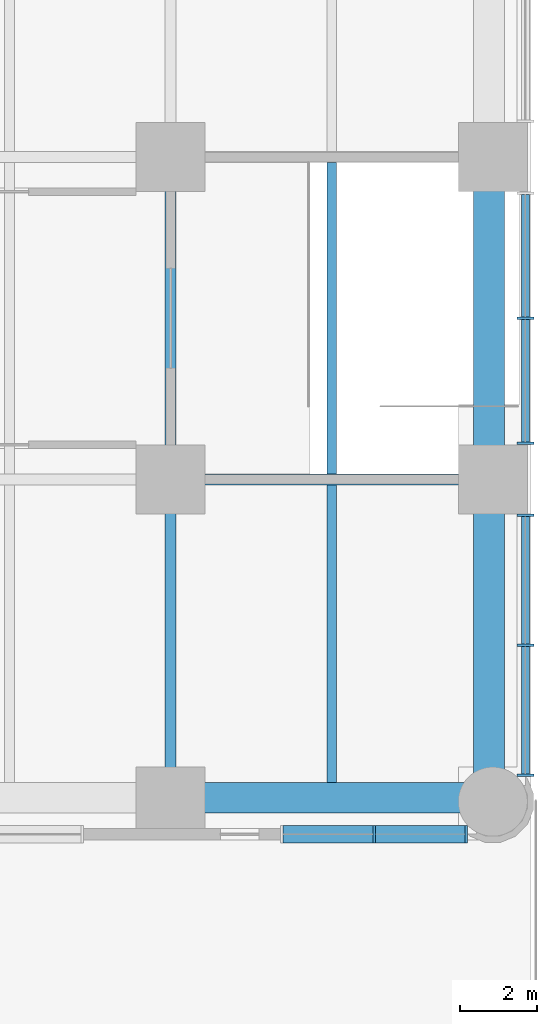
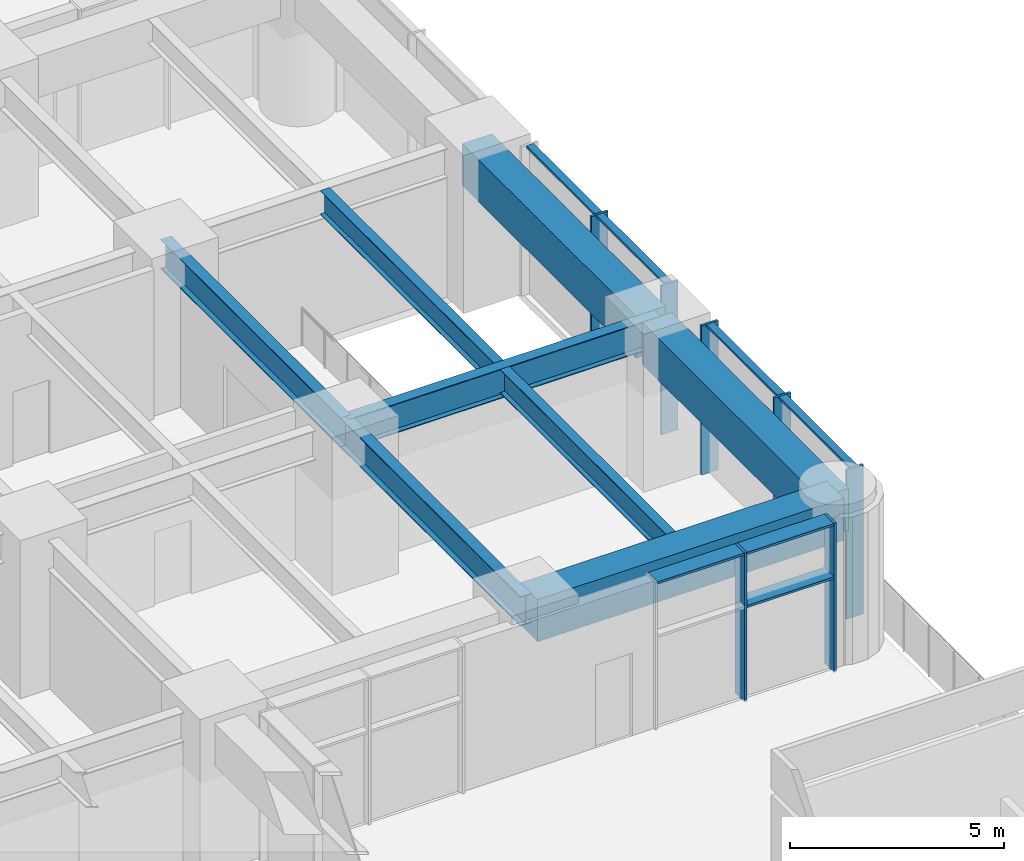
# One storey, part 4 of 21: 14 members, 8 beams, 2 elements without a shape of their own.
"""IFC4 building model written with IfcOpenShell, lengths in metres."""

import ifcopenshell
import ifcopenshell.guid

model = None  # the IFC model being written
_history = None  # IfcOwnerHistory: only IFC2X3 demands one
_inside = {}  # id of a spatial element -> (the spatial element, [elements in it])
_under = {}  # id of a project, library or spatial element -> (it, [spatial elements below it])
_declared = {}  # id of a project -> (the project, [libraries it declares])
_typed = {}  # id of a type object -> (the type object, [elements of that type])
_made_of = {}  # id of a material, layer set ... -> (it, [elements and type objects made of it])


def new_model(schema):
    """Start an empty IFC model of exactly this schema.

    Asked for "IFC4X3", IfcOpenShell would pick the latest addendum, in which some entities
    have other attributes; the version numbers below select the first issue.
    IFC2X3 requires an IfcOwnerHistory on every rooted entity: one is made here for all.
    """
    global model, _history
    if schema == "IFC4X3":
        model = ifcopenshell.file(schema_version=(4, 3, 0, 0))
    else:
        model = ifcopenshell.file(schema=schema)
    _inside.clear()
    _under.clear()
    _declared.clear()
    _typed.clear()
    _made_of.clear()
    _history = None
    if model.schema == "IFC2X3":
        org = make("IfcOrganization", Name="unknown")
        user = make(
            "IfcPersonAndOrganization",
            ThePerson=make("IfcPerson", FamilyName="unknown"),
            TheOrganization=org,
        )
        app = make(
            "IfcApplication",
            ApplicationDeveloper=org,
            Version="unknown",
            ApplicationFullName="unknown",
            ApplicationIdentifier="unknown",
        )
        _history = make(
            "IfcOwnerHistory",
            OwningUser=user,
            OwningApplication=app,
            ChangeAction="ADDED",
            CreationDate=0,
        )
    return model


def make(cls, **values):
    """One entity of the class cls with the attributes given. An attribute that is None is left unset."""
    return model.create_entity(
        cls, **{name: value for name, value in values.items() if value is not None}
    )


def rooted(cls, **values):
    """An entity with a GlobalId (a new one), such as an element, a storey or a relation."""
    return make(cls, GlobalId=ifcopenshell.guid.new(), OwnerHistory=_history, **values)


def si_unit(unit_type, name, prefix=None):
    """IfcSIUnit, for example si_unit("LENGTHUNIT", "METRE", prefix="MILLI")."""
    return make("IfcSIUnit", UnitType=unit_type, Prefix=prefix, Name=name)


def assignment(units):
    """IfcUnitAssignment: the units of a project."""
    return None if units is None else make("IfcUnitAssignment", Units=units)


def point(xyz):
    """IfcCartesianPoint."""
    return None if xyz is None else make("IfcCartesianPoint", Coordinates=xyz)


def direction(xyz):
    """IfcDirection."""
    return None if xyz is None else make("IfcDirection", DirectionRatios=xyz)


def frame(location, z_axis=None, x_axis=None):
    """IfcAxis2Placement3D, a coordinate frame: its origin and axes. An axis left out is left unset."""
    return make(
        "IfcAxis2Placement3D",
        Location=point(location),
        Axis=direction(z_axis),
        RefDirection=direction(x_axis),
    )


def frame_2d(location, x_axis=None):
    """IfcAxis2Placement2D, a coordinate frame in the plane: its origin and x axis."""
    return make(
        "IfcAxis2Placement2D", Location=point(location), RefDirection=direction(x_axis)
    )


def origin():
    """The frame at (0, 0, 0) with its axes left unset."""
    return frame((0.0, 0.0, 0.0))


def origin_2d():
    """The frame at (0, 0) in the plane with its x axis left unset."""
    return frame_2d((0.0, 0.0))


def place(relative_to, where):
    """IfcLocalPlacement: puts the frame where relative to a parent placement (None: the world)."""
    return make(
        "IfcLocalPlacement", PlacementRelTo=relative_to, RelativePlacement=where
    )


def context(
    kind, dimensions, precision=None, world=None, true_north=None, identifier=None
):
    """IfcGeometricRepresentationContext, for example the 3D "Model" context."""
    return make(
        "IfcGeometricRepresentationContext",
        ContextIdentifier=identifier,
        ContextType=kind,
        CoordinateSpaceDimension=dimensions,
        Precision=precision,
        WorldCoordinateSystem=world,
        TrueNorth=true_north,
    )


def subcontext(parent, identifier, kind, view, scale=None):
    """IfcGeometricRepresentationSubContext, for example "Body" below "Model"."""
    return make(
        "IfcGeometricRepresentationSubContext",
        ContextIdentifier=identifier,
        ContextType=kind,
        ParentContext=parent,
        TargetScale=scale,
        TargetView=view,
    )


def project(units=None, contexts=None):
    """IfcProject with its units and contexts."""
    return rooted(
        "IfcProject",
        Name="project",
        RepresentationContexts=contexts,
        UnitsInContext=assignment(units),
    )


def spatial(cls, under=None, at=None, **own):
    """A site, building, storey or space (cls), placed at a placement, below another one or the project."""
    s = rooted(cls, ObjectPlacement=at, **own)
    if under is not None:
        _under.setdefault(under.id(), (under, []))[1].append(s)
    return s


def profile(cls, at=None, kind="AREA", **sizes):
    """A parametric profile (cls). Its sizes go by their IFC names, for example OverallWidth=200.0."""
    return make(cls, ProfileType=kind, Position=at, **sizes)


def rectangle(**sizes):
    """IfcRectangleProfileDef."""
    return profile("IfcRectangleProfileDef", **sizes)


def i_section(**sizes):
    """IfcIShapeProfileDef."""
    return profile("IfcIShapeProfileDef", **sizes)


def extrude(swept, where, along, depth):
    """IfcExtrudedAreaSolid: the profile swept, set in the frame where, extruded along a direction by depth."""
    return make(
        "IfcExtrudedAreaSolid",
        SweptArea=swept,
        Position=where,
        ExtrudedDirection=direction(along),
        Depth=depth,
    )


def shape(context_of_items, identifier, shape_type, items):
    """IfcShapeRepresentation: the items that make up one representation, for example the "Body"."""
    return make(
        "IfcShapeRepresentation",
        ContextOfItems=context_of_items,
        RepresentationIdentifier=identifier,
        RepresentationType=shape_type,
        Items=items,
    )


def material(Name=None, Category=None):
    """IfcMaterial."""
    return make("IfcMaterial", Name=Name, Category=Category)


def material_profile(
    of_material, cross_section, Name=None, Category=None, Priority=None
):
    """IfcMaterialProfile: a cross section and its material."""
    return make(
        "IfcMaterialProfile",
        Name=Name,
        Material=of_material,
        Profile=cross_section,
        Priority=Priority,
        Category=Category,
    )


def profile_set(profiles, Name=None, composite=None):
    """IfcMaterialProfileSet."""
    return make(
        "IfcMaterialProfileSet",
        Name=Name,
        MaterialProfiles=profiles,
        CompositeProfile=composite,
    )


def made_of(thing, what):
    """Note that an element or type object is made of a material, layer set ...; save() writes the relation."""
    if what is not None:
        _made_of.setdefault(what.id(), (what, []))[1].append(thing)
    return thing


def type_object(cls, material=None, **own):
    """A type object (cls), such as IfcWallType, which elements share."""
    return made_of(rooted(cls, **own), material)


def element(
    cls,
    number,
    at=None,
    inside=None,
    cuts=None,
    type_object=None,
    material=None,
    context=None,
    identifier="Body",
    shape_type=None,
    held_by="IfcProductDefinitionShape",
    body=None,
    shapes=None,
    **own,
):
    """One element of the class cls, such as IfcWall. Its Tag is "e" and its number.

    at: its placement. inside: the storey or other place that contains it. cuts: it is an
    opening in that element (IfcRelVoidsElement). A single representation is given by context,
    identifier, shape_type and body (its items); several are given by shapes. held_by: the class
    of the entity that holds the representations. save() writes the other relations.
    """
    e = rooted(cls, Tag="e%d" % number, ObjectPlacement=at, **own)
    if body is not None:
        shapes = [shape(context, identifier, shape_type, body)]
    if shapes is not None:
        e.Representation = make(held_by, Representations=shapes)
    if inside is not None:
        _inside.setdefault(inside.id(), (inside, []))[1].append(e)
    if cuts is not None:
        rooted(
            "IfcRelVoidsElement", RelatingBuildingElement=cuts, RelatedOpeningElement=e
        )
    if type_object is not None:
        _typed.setdefault(type_object.id(), (type_object, []))[1].append(e)
    return made_of(e, material)


def aggregate(whole, parts):
    """IfcRelAggregates: a whole, such as a stair, and the parts it consists of."""
    return rooted("IfcRelAggregates", RelatingObject=whole, RelatedObjects=parts)


def save(model, path):
    """Write the relations noted so far, then the file.

    IfcRelAggregates (storeys below a building ...), IfcRelContainedInSpatialStructure (elements
    in a storey), IfcRelDefinesByType, IfcRelAssociatesMaterial and IfcRelDeclares: one each for
    every whole, place, type object, material and project.
    """
    for whole, parts in _under.values():
        aggregate(whole, parts)
    for where, things in _inside.values():
        rooted(
            "IfcRelContainedInSpatialStructure",
            RelatedElements=things,
            RelatingStructure=where,
        )
    for kind, things in _typed.values():
        rooted("IfcRelDefinesByType", RelatedObjects=things, RelatingType=kind)
    for what, things in _made_of.values():
        rooted("IfcRelAssociatesMaterial", RelatedObjects=things, RelatingMaterial=what)
    for by, libraries in _declared.values():
        rooted("IfcRelDeclares", RelatingContext=by, RelatedDefinitions=libraries)
    model.write(path)


model = new_model("IFC4")

# Units and contexts
model_context = context("Model", 3, precision=1e-05, world=origin(), true_north=direction((0.0, 1.0)))
body_context = subcontext(model_context, "Body", "Model", "MODEL_VIEW")
ifc_project = project(units=[si_unit("LENGTHUNIT", "METRE"), si_unit("AREAUNIT", "SQUARE_METRE"), si_unit("VOLUMEUNIT", "CUBIC_METRE"), si_unit("PLANEANGLEUNIT", "RADIAN"), si_unit("MASSUNIT", "GRAM", prefix="KILO")], contexts=[model_context])

# Site, building, storey
site_placement = place(None, origin())
site = spatial("IfcSite", under=ifc_project, at=site_placement, CompositionType="ELEMENT")
building_placement = place(site_placement, origin())
building = spatial("IfcBuilding", under=site, at=building_placement, Name="Torre Alcanfor", CompositionType="ELEMENT")
storey_placement = place(building_placement, frame((0.0, 0.0, 24.0)))
storey = spatial("IfcBuildingStorey", under=building, at=storey_placement, Name="L05", CompositionType="ELEMENT", Elevation=24.0)

# Curtain wall, members
ifc_material_1 = material(Name="Aluminium and glass", Category="aluminium")
curtain_wall_type_1 = type_object("IfcCurtainWallType", Name="CW-B unitised classroom glazing with vertical FIN", PredefinedType="NOTDEFINED", material=ifc_material_1)
curtain_wall_1_placement = place(storey_placement, origin())
curtain_wall_1 = element("IfcCurtainWall", 1, at=curtain_wall_1_placement, inside=storey, type_object=curtain_wall_type_1, Name="Curtain wall CW-B L05 8", PredefinedType="NOTDEFINED")
ifc_material_2 = material(Name="Bronze anodised aluminium", Category="aluminium")
ifc_material_profile_1 = material_profile(ifc_material_2, rectangle(XDim=0.449951171875, YDim=0.06494140625, at=origin_2d()), Name="CW-B mullion 65x450")
ifc_profile_set_1 = profile_set([ifc_material_profile_1], Name="Bronze anodised aluminium")
member_type_1 = type_object("IfcMemberType", Name="CW-B mullion with vertical FIN 65x450", PredefinedType="MULLION", material=ifc_profile_set_1)
member_1_placement = place(storey_placement, frame((59.64990234375, 17.487060546875, 0.0), z_axis=(0.0, 0.0, 1.0), x_axis=(-1.0, 0.0, 0.0)))
member_1 = element("IfcMember", 2, at=member_1_placement, type_object=member_type_1, Name="CW-B mullion 1.1", PredefinedType="MULLION", context=body_context, shape_type="SweptSolid", body=[
    extrude(rectangle(XDim=0.449951171875, YDim=0.06494140625, at=origin_2d()), origin(), (0.0, 0.0, 1.0), 4.25),
])
member_2_placement = place(storey_placement, frame((59.64990234375, 20.874755859375, 0.0), z_axis=(0.0, 0.0, 1.0), x_axis=(-1.0, 0.0, 0.0)))
member_2 = element("IfcMember", 3, at=member_2_placement, type_object=member_type_1, Name="CW-B mullion 1.2", PredefinedType="MULLION", context=body_context, shape_type="SweptSolid", body=[
    extrude(rectangle(XDim=0.449951171875, YDim=0.06494140625, at=origin_2d()), origin(), (0.0, 0.0, 1.0), 4.25),
])
member_3_placement = place(storey_placement, frame((59.64990234375, 24.262451171875, 0.0), z_axis=(0.0, 0.0, 1.0), x_axis=(-1.0, 0.0, 0.0)))
member_3 = element("IfcMember", 4, at=member_3_placement, type_object=member_type_1, Name="CW-B mullion 1.3", PredefinedType="MULLION", context=body_context, shape_type="SweptSolid", body=[
    extrude(rectangle(XDim=0.449951171875, YDim=0.06494140625, at=origin_2d()), origin(), (0.0, 0.0, 1.0), 4.25),
])
member_4_placement = place(storey_placement, frame((59.64990234375, 26.137451171875, 0.0), z_axis=(0.0, 0.0, 1.0), x_axis=(-1.0, 0.0, 0.0)))
member_4 = element("IfcMember", 5, at=member_4_placement, type_object=member_type_1, Name="CW-B mullion 2.1", PredefinedType="MULLION", context=body_context, shape_type="SweptSolid", body=[
    extrude(rectangle(XDim=0.449951171875, YDim=0.06494140625, at=origin_2d()), origin(), (0.0, 0.0, 1.0), 4.25),
])
member_5_placement = place(storey_placement, frame((59.64990234375, 29.39990234375, 0.0), z_axis=(0.0, 0.0, 1.0), x_axis=(-1.0, 0.0, 0.0)))
member_5 = element("IfcMember", 6, at=member_5_placement, type_object=member_type_1, Name="CW-B mullion 2.2", PredefinedType="MULLION", context=body_context, shape_type="SweptSolid", body=[
    extrude(rectangle(XDim=0.449951171875, YDim=0.06494140625, at=origin_2d()), origin(), (0.0, 0.0, 1.0), 4.25),
])
ifc_material_3 = material(Name="Extruded aluminium", Category="aluminium")
ifc_material_profile_2 = material_profile(ifc_material_3, rectangle(XDim=0.199951171875, YDim=0.06494140625, at=origin_2d()), Name="CW-B transom 200x65")
ifc_profile_set_2 = profile_set([ifc_material_profile_2], Name="Extruded aluminium")
member_type_2 = type_object("IfcMemberType", Name="CW-B transom 65x200", PredefinedType="USERDEFINED", material=ifc_profile_set_2)
member_6_placement = place(storey_placement, frame((59.64990234375, 17.51953125, 4.217529296875), z_axis=(0.0, 1.0, 0.0), x_axis=(-1.0, 0.0, 0.0)))
member_6 = element("IfcMember", 7, at=member_6_placement, type_object=member_type_2, Name="CW-B transom 1.1.2", ObjectType="TRANSOM", PredefinedType="USERDEFINED", context=body_context, shape_type="SweptSolid", body=[
    extrude(rectangle(XDim=0.199951171875, YDim=0.06494140625, at=origin_2d()), origin(), (0.0, 0.0, 1.0), 3.32275390625),
])
member_7_placement = place(storey_placement, frame((59.64990234375, 20.9072265625, 4.217529296875), z_axis=(0.0, 1.0, 0.0), x_axis=(-1.0, 0.0, 0.0)))
member_7 = element("IfcMember", 8, at=member_7_placement, type_object=member_type_2, Name="CW-B transom 1.2.2", ObjectType="TRANSOM", PredefinedType="USERDEFINED", context=body_context, shape_type="SweptSolid", body=[
    extrude(rectangle(XDim=0.199951171875, YDim=0.06494140625, at=origin_2d()), origin(), (0.0, 0.0, 1.0), 3.32275390625),
])
member_8_placement = place(storey_placement, frame((59.64990234375, 26.169921875, 4.217529296875), z_axis=(0.0, 1.0, 0.0), x_axis=(-1.0, 0.0, 0.0)))
member_8 = element("IfcMember", 9, at=member_8_placement, type_object=member_type_2, Name="CW-B transom 2.1.2", ObjectType="TRANSOM", PredefinedType="USERDEFINED", context=body_context, shape_type="SweptSolid", body=[
    extrude(rectangle(XDim=0.199951171875, YDim=0.06494140625, at=origin_2d()), origin(), (0.0, 0.0, 1.0), 3.197509765625),
])
member_9_placement = place(storey_placement, frame((59.64990234375, 29.4326171875, 4.217529296875), z_axis=(0.0, 1.0, 0.0), x_axis=(-1.0, 0.0, 0.0)))
member_9 = element("IfcMember", 10, at=member_9_placement, type_object=member_type_2, Name="CW-B transom 2.2.2", ObjectType="TRANSOM", PredefinedType="USERDEFINED", context=body_context, shape_type="SweptSolid", body=[
    extrude(rectangle(XDim=0.199951171875, YDim=0.06494140625, at=origin_2d()), origin(), (0.0, 0.0, 1.0), 3.197265625),
])
aggregate(curtain_wall_1, [member_1, member_2, member_3, member_6, member_7, member_4, member_5, member_8, member_9])

ifc_material_4 = material(Name="Aluminium and glass", Category="aluminium")
curtain_wall_type_2 = type_object("IfcCurtainWallType", Name="CW-F south classroom glazing with SUNSHADE transom", PredefinedType="NOTDEFINED", material=ifc_material_4)
curtain_wall_2_placement = place(storey_placement, origin())
curtain_wall_2 = element("IfcCurtainWall", 11, at=curtain_wall_2_placement, inside=storey, type_object=curtain_wall_type_2, Name="Curtain wall CW-F L05 7", PredefinedType="NOTDEFINED")
ifc_material_5 = material(Name="Extruded aluminium", Category="aluminium")
ifc_material_profile_3 = material_profile(ifc_material_5, rectangle(XDim=0.449951171875, YDim=0.06494140625, at=origin_2d()), Name="CW-F transom 450x65")
ifc_profile_set_3 = profile_set([ifc_material_profile_3], Name="Extruded aluminium")
member_type_3 = type_object("IfcMemberType", Name="CW-F SUNSHADE transom 65x450", PredefinedType="USERDEFINED", material=ifc_profile_set_3)
member_10_placement = place(storey_placement, frame((53.331787109375, 15.949951171875, 4.217529296875), z_axis=(1.0, 0.0, 0.0), x_axis=(0.0, 1.0, 0.0)))
member_10 = element("IfcMember", 12, at=member_10_placement, type_object=member_type_3, Name="CW-F transom 1.1.3", ObjectType="TRANSOM", PredefinedType="USERDEFINED", context=body_context, shape_type="SweptSolid", body=[
    extrude(rectangle(XDim=0.449951171875, YDim=0.06494140625, at=origin_2d()), origin(), (0.0, 0.0, 1.0), 2.341796875),
])
member_11_placement = place(storey_placement, frame((55.738525390625, 15.949951171875, 2.699951171875), z_axis=(1.0, 0.0, 0.0), x_axis=(0.0, 1.0, 0.0)))
member_11 = element("IfcMember", 13, at=member_11_placement, type_object=member_type_3, Name="CW-F transom 1.2.2", ObjectType="TRANSOM", PredefinedType="USERDEFINED", context=body_context, shape_type="SweptSolid", body=[
    extrude(rectangle(XDim=0.449951171875, YDim=0.06494140625, at=origin_2d()), origin(), (0.0, 0.0, 1.0), 2.342041015625),
])
member_12_placement = place(storey_placement, frame((55.738525390625, 15.949951171875, 4.217529296875), z_axis=(1.0, 0.0, 0.0), x_axis=(0.0, 1.0, 0.0)))
member_12 = element("IfcMember", 14, at=member_12_placement, type_object=member_type_3, Name="CW-F transom 1.2.3", ObjectType="TRANSOM", PredefinedType="USERDEFINED", context=body_context, shape_type="SweptSolid", body=[
    extrude(rectangle(XDim=0.449951171875, YDim=0.06494140625, at=origin_2d()), origin(), (0.0, 0.0, 1.0), 2.342041015625),
])
ifc_material_6 = material(Name="Bronze anodised aluminium", Category="aluminium")
ifc_material_profile_4 = material_profile(ifc_material_6, rectangle(XDim=0.449951171875, YDim=0.06494140625, at=origin_2d()), Name="CW-F mullion 65x450")
ifc_profile_set_4 = profile_set([ifc_material_profile_4], Name="Bronze anodised aluminium")
member_type_4 = type_object("IfcMemberType", Name="CW-F mullion with vertical FIN 65x450", PredefinedType="MULLION", material=ifc_profile_set_4)
member_13_placement = place(storey_placement, frame((55.7060546875, 15.949951171875, 0.0), z_axis=(0.0, 0.0, 1.0), x_axis=(0.0, 1.0, 0.0)))
member_13 = element("IfcMember", 15, at=member_13_placement, type_object=member_type_4, Name="CW-F mullion 1.2", PredefinedType="MULLION", context=body_context, shape_type="SweptSolid", body=[
    extrude(rectangle(XDim=0.449951171875, YDim=0.06494140625, at=origin_2d()), origin(), (0.0, 0.0, 1.0), 4.25),
])
member_14_placement = place(storey_placement, frame((58.113037109375, 15.949951171875, 0.0), z_axis=(0.0, 0.0, 1.0), x_axis=(0.0, 1.0, 0.0)))
member_14 = element("IfcMember", 16, at=member_14_placement, type_object=member_type_4, Name="CW-F mullion 1.3", PredefinedType="MULLION", context=body_context, shape_type="SweptSolid", body=[
    extrude(rectangle(XDim=0.449951171875, YDim=0.06494140625, at=origin_2d()), origin(), (0.0, 0.0, 1.0), 4.25),
])
aggregate(curtain_wall_2, [member_13, member_14, member_10, member_11, member_12])

# Beams
ifc_material_7 = material(Name="Steel ASTM A992 Grade 50", Category="steel")
ifc_material_profile_5 = material_profile(ifc_material_7, i_section(OverallWidth=0.2919921875, OverallDepth=0.8408203125, WebThickness=0.0146484375, FlangeThickness=0.021728515625, at=origin_2d()), Name="W33x130")
ifc_profile_set_5 = profile_set([ifc_material_profile_5], Name="Steel ASTM A992 Grade 50")
beam_type_1 = type_object("IfcBeamType", Name="Girder W33x130", PredefinedType="BEAM", material=ifc_profile_set_5)
beam_1_placement = place(storey_placement, frame((50.39990234375, 25.199951171875, 3.82958984375), z_axis=(1.0, 0.0, 0.0), x_axis=(0.0, 1.0, 0.0)))
element("IfcBeam", 17, at=beam_1_placement, inside=storey, type_object=beam_type_1, Name="Beam 7F-8F under L06", PredefinedType="BEAM", context=body_context, shape_type="SweptSolid", body=[
    extrude(i_section(OverallWidth=0.2919921875, OverallDepth=0.8408203125, WebThickness=0.0146484375, FlangeThickness=0.021728515625, at=origin_2d()), origin(), (0.0, 0.0, 1.0), 8.400146484375),
])
beam_2_placement = place(storey_placement, frame((50.39990234375, 16.800048828125, 3.82958984375), z_axis=(0.0, 1.0, 0.0), x_axis=(-1.0, 0.0, 0.0)))
element("IfcBeam", 18, at=beam_2_placement, inside=storey, type_object=beam_type_1, Name="Beam 7E-7F under L06", PredefinedType="BEAM", context=body_context, shape_type="SweptSolid", body=[
    extrude(i_section(OverallWidth=0.2919921875, OverallDepth=0.8408203125, WebThickness=0.0146484375, FlangeThickness=0.021728515625, at=origin_2d()), origin(), (0.0, 0.0, 1.0), 8.39990234375),
])
beam_3_placement = place(storey_placement, frame((50.39990234375, 25.199951171875, 3.82958984375), z_axis=(0.0, 1.0, 0.0), x_axis=(-1.0, 0.0, 0.0)))
element("IfcBeam", 19, at=beam_3_placement, inside=storey, type_object=beam_type_1, Name="Beam 7F-7G under L06", PredefinedType="BEAM", context=body_context, shape_type="SweptSolid", body=[
    extrude(i_section(OverallWidth=0.2919921875, OverallDepth=0.8408203125, WebThickness=0.0146484375, FlangeThickness=0.021728515625, at=origin_2d()), origin(), (0.0, 0.0, 1.0), 8.400146484375),
])
ifc_material_8 = material(Name="Concrete f'c 70 MPa", Category="concrete")
ifc_material_profile_6 = material_profile(ifc_material_8, rectangle(XDim=0.800048828125, YDim=1.199951171875, at=origin_2d()), Name="800x1200")
ifc_profile_set_6 = profile_set([ifc_material_profile_6], Name="Concrete f'c 70 MPa")
beam_type_2 = type_object("IfcBeamType", Name="RC perimeter beam 800x1200", PredefinedType="BEAM", material=ifc_profile_set_6)
beam_4_placement = place(storey_placement, frame((50.5458984375, 16.89990234375, 3.64990234375), z_axis=(1.0, 0.0, 0.0), x_axis=(0.0, 1.0, 0.0)))
element("IfcBeam", 20, at=beam_4_placement, inside=storey, type_object=beam_type_2, Name="Beam 7E-8E under L06", PredefinedType="BEAM", context=body_context, shape_type="SweptSolid", body=[
    extrude(rectangle(XDim=0.800048828125, YDim=1.199951171875, at=origin_2d()), origin(), (0.0, 0.0, 1.0), 8.254150390625),
])
beam_5_placement = place(storey_placement, frame((58.699951171875, 16.800048828125, 3.64990234375), z_axis=(0.0, 1.0, 0.0), x_axis=(-1.0, 0.0, 0.0)))
element("IfcBeam", 21, at=beam_5_placement, inside=storey, type_object=beam_type_2, Name="Beam 8E-8F under L06", PredefinedType="BEAM", context=body_context, shape_type="SweptSolid", body=[
    extrude(rectangle(XDim=0.800048828125, YDim=1.199951171875, at=origin_2d()), origin(), (0.0, 0.0, 1.0), 8.25390625),
])
beam_6_placement = place(storey_placement, frame((58.699951171875, 25.345947265625, 3.64990234375), z_axis=(0.0, 1.0, 0.0), x_axis=(-1.0, 0.0, 0.0)))
element("IfcBeam", 22, at=beam_6_placement, inside=storey, type_object=beam_type_2, Name="Beam 8F-8G under L06", PredefinedType="BEAM", context=body_context, shape_type="SweptSolid", body=[
    extrude(rectangle(XDim=0.800048828125, YDim=1.199951171875, at=origin_2d()), origin(), (0.0, 0.0, 1.0), 8.108154296875),
])
ifc_material_9 = material(Name="Steel ASTM A992 Grade 50", Category="steel")
ifc_material_profile_7 = material_profile(ifc_material_9, i_section(OverallWidth=0.25390625, OverallDepth=0.683349609375, WebThickness=0.012451171875, FlangeThickness=0.01904296875, at=origin_2d()), Name="W27x94")
ifc_profile_set_7 = profile_set([ifc_material_profile_7], Name="Steel ASTM A992 Grade 50")
beam_type_3 = type_object("IfcBeamType", Name="Secondary beam W27x94", PredefinedType="BEAM", material=ifc_profile_set_7)
beam_7_placement = place(storey_placement, frame((54.60009765625, 17.300048828125, 3.908447265625), z_axis=(0.0, 1.0, 0.0), x_axis=(-1.0, 0.0, 0.0)))
element("IfcBeam", 23, at=beam_7_placement, inside=storey, type_object=beam_type_3, Name="Beam 54_6E-54_6F under L06", PredefinedType="BEAM", context=body_context, shape_type="SweptSolid", body=[
    extrude(i_section(OverallWidth=0.25390625, OverallDepth=0.683349609375, WebThickness=0.012451171875, FlangeThickness=0.01904296875, at=origin_2d()), origin(), (0.0, 0.0, 1.0), 7.75390625),
])
beam_8_placement = place(storey_placement, frame((54.60009765625, 25.345947265625, 3.908447265625), z_axis=(0.0, 1.0, 0.0), x_axis=(-1.0, 0.0, 0.0)))
element("IfcBeam", 24, at=beam_8_placement, inside=storey, type_object=beam_type_3, Name="Beam 54_6F-54_6G under L06", PredefinedType="BEAM", context=body_context, shape_type="SweptSolid", body=[
    extrude(i_section(OverallWidth=0.25390625, OverallDepth=0.683349609375, WebThickness=0.012451171875, FlangeThickness=0.01904296875, at=origin_2d()), origin(), (0.0, 0.0, 1.0), 8.108154296875),
])

save(model, "model.ifc")
